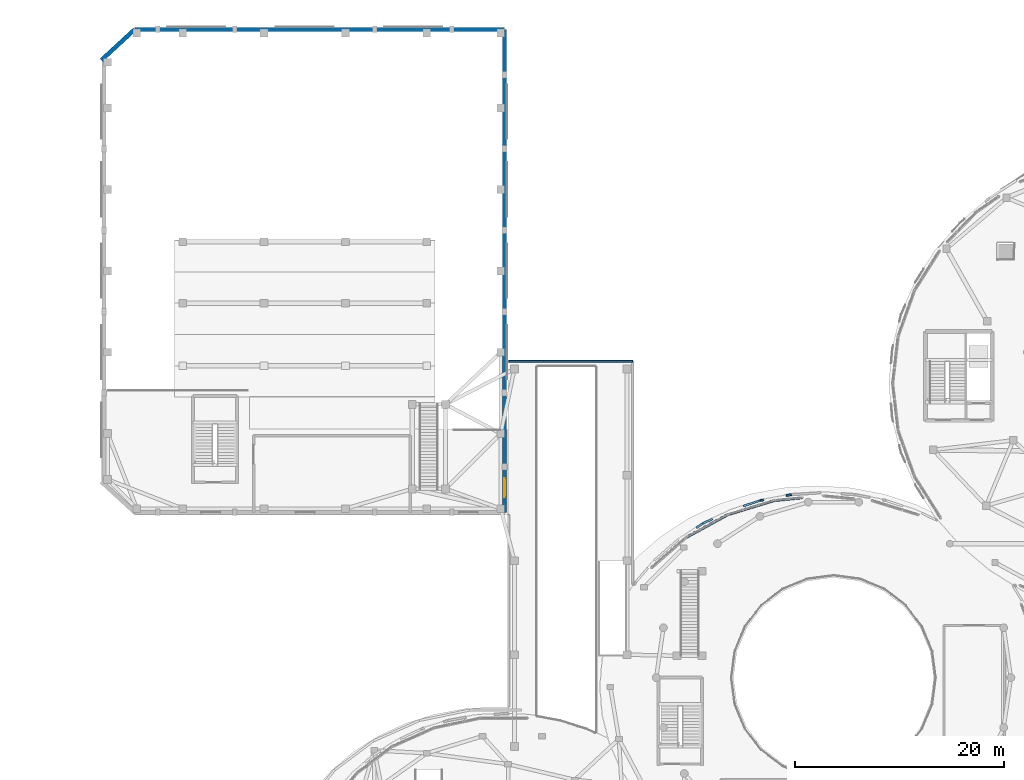
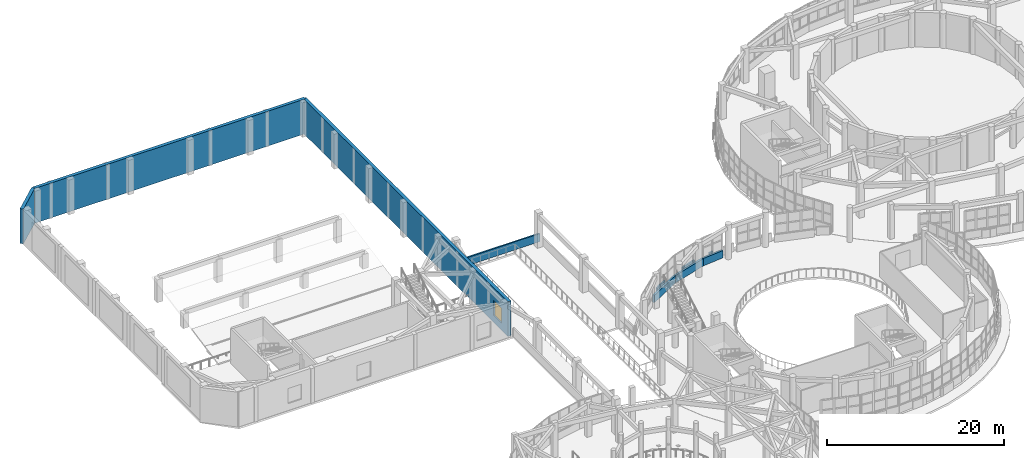
# One storey, part 77 of 98: 12 walls, 1 window, 1 opening.
"""IFC4 building model written with IfcOpenShell, lengths in metres."""

from ifc_helpers import new_model, si_unit, direction, frame, frame_2d, origin, place, context, subcontext, project, spatial, rectangle, extrude, material, layer, layer_set, type_object, element, fill, save


model = new_model("IFC4")

# Units and contexts
model_context = context("Model", 3, precision=1e-05, world=origin(), true_north=direction((0.0, 1.0)))
body_context = subcontext(model_context, "Body", "Model", "MODEL_VIEW")
ifc_project = project(units=[si_unit("LENGTHUNIT", "METRE"), si_unit("AREAUNIT", "SQUARE_METRE"), si_unit("VOLUMEUNIT", "CUBIC_METRE"), si_unit("PLANEANGLEUNIT", "RADIAN"), si_unit("MASSUNIT", "GRAM", prefix="KILO")], contexts=[model_context])

# Site, building, storey
site_placement = place(None, origin())
site = spatial("IfcSite", under=ifc_project, at=site_placement, CompositionType="ELEMENT")
building_placement = place(site_placement, origin())
building = spatial("IfcBuilding", under=site, at=building_placement, Name="Pelvatis Terrace Science Centre", CompositionType="ELEMENT")
storey_placement = place(building_placement, frame((0.0, 0.0, 5.39990234375)))
storey = spatial("IfcBuildingStorey", under=building, at=storey_placement, Name="L01", CompositionType="ELEMENT", Elevation=5.39990234375)

# Wall
ifc_material_1 = material(Name="Precast concrete C40/50 double acoustic shell", Category="concrete")
ifc_layer_1 = layer(ifc_material_1, 0.409912109375)
ifc_layer_set_1 = layer_set([ifc_layer_1], Name="Precast concrete C40/50 double acoustic shell")
wall_type_1 = type_object("IfcWallType", Name="WL-EXT-ACOU-410", PredefinedType="SOLIDWALL", material=ifc_layer_set_1)
wall_1_placement = place(storey_placement, frame((11.0, 116.75, 0.0), z_axis=(0.0, 0.0, 1.0), x_axis=(1.0, 0.0, 0.0)))
element("IfcWall", 1, at=wall_1_placement, inside=storey, type_object=wall_type_1, Name="Theatre classical stone acoustic wall N (L01)", PredefinedType="SOLIDWALL", context=body_context, shape_type="SweptSolid", body=[
    extrude(rectangle(XDim=35.449951171875, YDim=0.409912109375, at=frame_2d((17.72509765625, 0.0))), origin(), (0.0, 0.0, 1.0), 4.800048828125),
])

# Wall, opening, window
wall_2_placement = place(storey_placement, frame((46.449951171875, 70.449951171875, 0.0), z_axis=(0.0, 0.0, 1.0), x_axis=(0.0, 1.0, 0.0)))
wall_2 = element("IfcWall", 2, at=wall_2_placement, inside=storey, type_object=wall_type_1, Name="Theatre classical stone acoustic wall E (L01)", PredefinedType="SOLIDWALL", context=body_context, shape_type="SweptSolid", body=[
    extrude(rectangle(XDim=46.300048828125, YDim=0.409912109375, at=frame_2d((23.14990234375, 0.0))), origin(), (0.0, 0.0, 1.0), 4.800048828125),
])
opening_placement = place(wall_2_placement, frame((1.449951171875, 0.0, 0.949951171875)))
opening = element("IfcOpeningElement", 3, at=opening_placement, cuts=wall_2, Name="Opening W-006", PredefinedType="OPENING", context=body_context, shape_type="SweptSolid", body=[
    extrude(rectangle(XDim=1.800048828125, YDim=2.10009765625, at=frame_2d((0.89990234375, 1.050048828125))), frame((0.0, 0.21484375, 0.0), z_axis=(0.0, -1.0, 0.0), x_axis=(1.0, 0.0, 0.0)), (0.0, 0.0, 1.0), 0.429931640625),
])
ifc_material_2 = material(Name="Bronze-anodised aluminium and laminated low-e glass", Category="aluminium")
window_type = type_object("IfcWindowType", Name="WIN-LAB-1800x2100", PartitioningType="SINGLE_PANEL", PredefinedType="WINDOW", material=ifc_material_2)
window_placement = place(opening_placement, origin())
window = element("IfcWindow", 4, at=window_placement, inside=storey, type_object=window_type, Name="Theatre east foyer window W-006", OverallHeight=2.10009765625, OverallWidth=1.800048828125, PartitioningType="SINGLE_PANEL", PredefinedType="WINDOW", context=body_context, shape_type="SweptSolid", body=[
    extrude(rectangle(XDim=1.800048828125, YDim=2.10009765625, at=frame_2d((0.89990234375, 1.050048828125))), frame((0.0, 0.030029296875, 0.0), z_axis=(0.0, -1.0, 0.0), x_axis=(1.0, 0.0, 0.0)), (0.0, 0.0, 1.0), 0.06005859375),
])
fill(opening, window)

# Walls
wall_3_placement = place(storey_placement, frame((7.800048828125, 113.800048828125, 0.0), z_axis=(0.0, 0.0, 1.0), x_axis=(0.735244168043, 0.677802340922, 0.0)))
element("IfcWall", 5, at=wall_3_placement, inside=storey, type_object=wall_type_1, Name="Theatre classical stone acoustic wall NW (L01)", PredefinedType="SOLIDWALL", context=body_context, shape_type="SweptSolid", body=[
    extrude(rectangle(XDim=4.352294921875, YDim=0.409912109375, at=frame_2d((2.17626953125, 0.0))), origin(), (0.0, 0.0, 1.0), 4.800048828125),
])
ifc_material_3 = material(Name="White architectural precast concrete C40/50 spandrel", Category="concrete")
ifc_layer_2 = layer(ifc_material_3, 0.260009765625)
ifc_layer_set_2 = layer_set([ifc_layer_2], Name="White architectural precast concrete C40/50 spandrel")
wall_type_2 = type_object("IfcWallType", Name="WL-EXT-SPND-260", PredefinedType="SOLIDWALL", material=ifc_layer_set_2)
wall_4_placement = place(storey_placement, frame((75.035888671875, 71.857177734375, 0.0), z_axis=(0.0, 0.0, 1.0), x_axis=(-0.99520468372, -0.097814301111, 0.0)))
element("IfcWall", 6, at=wall_4_placement, inside=storey, type_object=wall_type_2, Name="V2 white spiral spandrel band 08 (L01)", PredefinedType="SOLIDWALL", context=body_context, shape_type="SweptSolid", body=[
    extrude(rectangle(XDim=2.733154296875, YDim=0.260009765625, at=frame_2d((1.36669921875, 0.0))), origin(), (0.0, 0.0, 1.0), 1.02001953125),
])
wall_5_placement = place(storey_placement, frame((72.31591796875, 71.58984375, 0.0), z_axis=(0.0, 0.0, 1.0), x_axis=(-0.956504637963, -0.291717119063, 0.0)))
element("IfcWall", 7, at=wall_5_placement, inside=storey, type_object=wall_type_2, Name="V2 white spiral spandrel band 09 (L01)", PredefinedType="SOLIDWALL", context=body_context, shape_type="SweptSolid", body=[
    extrude(rectangle(XDim=4.651611328125, YDim=0.260009765625, at=frame_2d((2.32568359375, 0.0))), origin(), (0.0, 0.0, 1.0), 1.02001953125),
])
wall_6_placement = place(storey_placement, frame((67.86669921875, 70.23291015625, 0.0), z_axis=(0.0, 0.0, 1.0), x_axis=(-0.877039221063, -0.480418780562, 0.0)))
element("IfcWall", 8, at=wall_6_placement, inside=storey, type_object=wall_type_2, Name="V2 white spiral spandrel band 10 (L01)", PredefinedType="SOLIDWALL", context=body_context, shape_type="SweptSolid", body=[
    extrude(rectangle(XDim=4.55078125, YDim=0.260009765625, at=frame_2d((2.275390625, 0.0))), origin(), (0.0, 0.0, 1.0), 1.02001953125),
])
ifc_material_4 = material(Name="White architectural precast concrete C40/50 spandrel parapet", Category="concrete")
ifc_layer_3 = layer(ifc_material_4, 0.18994140625)
ifc_layer_set_3 = layer_set([ifc_layer_3], Name="White architectural precast concrete C40/50 spandrel parapet")
wall_type_3 = type_object("IfcWallType", Name="WL-PAR-190", PredefinedType="PARAPET", material=ifc_layer_set_3)
wall_7_placement = place(storey_placement, frame((46.875, 84.93994140625, 0.0), z_axis=(0.0, 0.0, 1.0), x_axis=(1.0, 0.0, 0.0)))
element("IfcWall", 9, at=wall_7_placement, inside=storey, type_object=wall_type_3, Name="Perimeter edge closure parapet PW-EDG-L01-099", PredefinedType="PARAPET", context=body_context, shape_type="SweptSolid", body=[
    extrude(rectangle(XDim=11.864990234375, YDim=0.18994140625, at=frame_2d((5.9326171875, 0.0))), origin(), (0.0, 0.0, 1.0), 1.1201171875),
])
wall_8_placement = place(storey_placement, frame((64.84375, 68.97607421875, 0.0), z_axis=(0.0, 0.0, 1.0), x_axis=(0.836917016948, 0.547329797053, 0.0)))
element("IfcWall", 10, at=wall_8_placement, inside=storey, type_object=wall_type_3, Name="Perimeter edge closure parapet PW-EDG-L01-106", PredefinedType="PARAPET", context=body_context, shape_type="SweptSolid", body=[
    extrude(rectangle(XDim=0.736083984375, YDim=0.18994140625, at=frame_2d((0.3681640625, 0.0))), origin(), (0.0, 0.0, 1.0), 1.1201171875),
])
wall_9_placement = place(storey_placement, frame((65.459716796875, 69.37890625, 0.0), z_axis=(0.0, 0.0, 1.0), x_axis=(0.902443288363, 0.430808671325, 0.0)))
element("IfcWall", 11, at=wall_9_placement, inside=storey, type_object=wall_type_3, Name="Perimeter edge closure parapet PW-EDG-L01-107", PredefinedType="PARAPET", context=body_context, shape_type="SweptSolid", body=[
    extrude(rectangle(XDim=1.028564453125, YDim=0.18994140625, at=frame_2d((0.51416015625, 0.0))), origin(), (0.0, 0.0, 1.0), 1.1201171875),
])
wall_10_placement = place(storey_placement, frame((69.3525390625, 71.052001953125, 0.0), z_axis=(0.0, 0.0, 1.0), x_axis=(0.950793564659, 0.309825107766, 0.0)))
element("IfcWall", 12, at=wall_10_placement, inside=storey, type_object=wall_type_3, Name="Perimeter edge closure parapet PW-EDG-L01-108", PredefinedType="PARAPET", context=body_context, shape_type="SweptSolid", body=[
    extrude(rectangle(XDim=1.7177734375, YDim=0.18994140625, at=frame_2d((0.85888671875, 0.0))), origin(), (0.0, 0.0, 1.0), 1.1201171875),
])
wall_11_placement = place(storey_placement, frame((70.98583984375, 71.584228515625, 0.0), z_axis=(0.0, 0.0, 1.0), x_axis=(0.982458484281, 0.186481437854, 0.0)))
element("IfcWall", 13, at=wall_11_placement, inside=storey, type_object=wall_type_3, Name="Perimeter edge closure parapet PW-EDG-L01-109", PredefinedType="PARAPET", context=body_context, shape_type="SweptSolid", body=[
    extrude(rectangle(XDim=0.302490234375, YDim=0.18994140625, at=frame_2d((0.1513671875, 0.0))), origin(), (0.0, 0.0, 1.0), 1.1201171875),
])
wall_12_placement = place(storey_placement, frame((73.452880859375, 72.05322265625, 0.0), z_axis=(0.0, 0.0, 1.0), x_axis=(0.982350935869, 0.187047156614, 0.0)))
element("IfcWall", 14, at=wall_12_placement, inside=storey, type_object=wall_type_3, Name="Perimeter edge closure parapet PW-EDG-L01-110", PredefinedType="PARAPET", context=body_context, shape_type="SweptSolid", body=[
    extrude(rectangle(XDim=0.51806640625, YDim=0.18994140625, at=frame_2d((0.259033203125, 0.0))), origin(), (0.0, 0.0, 1.0), 1.1201171875),
])

save(model, "model.ifc")
